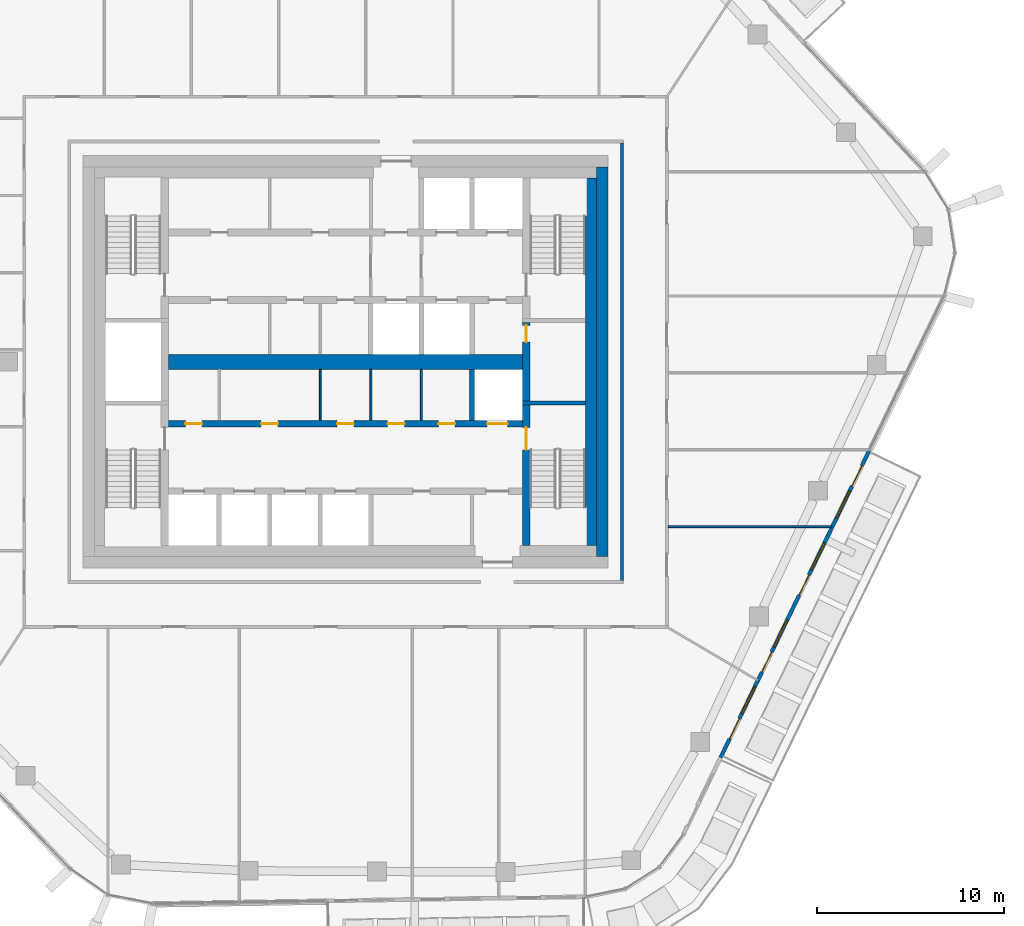
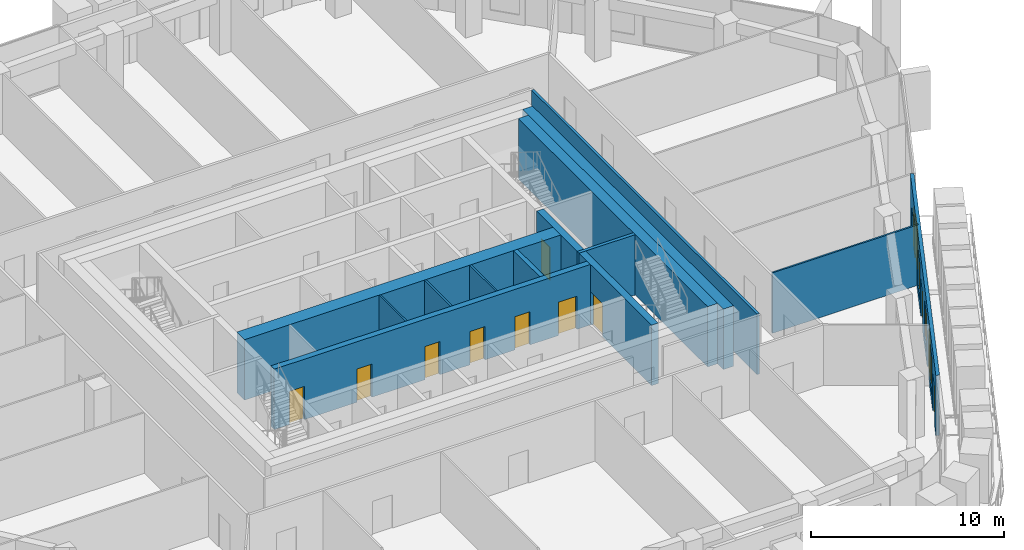
# One storey, part 14 of 24: 14 walls, 12 doors, 4 windows, 16 openings.
"""IFC4 building model written with IfcOpenShell, lengths in metres."""

from ifc_helpers import new_model, si_unit, direction, frame, frame_2d, origin, place, context, subcontext, project, spatial, rectangle, extrude, material, layer, layer_set, type_object, element, fill, save


model = new_model("IFC4")

# Units and contexts
model_context = context("Model", 3, precision=1e-05, world=origin(), true_north=direction((0.0, 1.0)))
body_context = subcontext(model_context, "Body", "Model", "MODEL_VIEW")
ifc_project = project(units=[si_unit("LENGTHUNIT", "METRE"), si_unit("AREAUNIT", "SQUARE_METRE"), si_unit("VOLUMEUNIT", "CUBIC_METRE"), si_unit("PLANEANGLEUNIT", "RADIAN"), si_unit("MASSUNIT", "GRAM", prefix="KILO")], contexts=[model_context])

# Site, building, storey
site_placement = place(None, origin())
site = spatial("IfcSite", under=ifc_project, at=site_placement, CompositionType="ELEMENT")
building_placement = place(site_placement, origin())
building = spatial("IfcBuilding", under=site, at=building_placement, Name="Dongbaek Canopy Tower", CompositionType="ELEMENT")
storey_placement = place(building_placement, frame((0.0, 0.0, 294.199951171875)))
storey = spatial("IfcBuildingStorey", under=building, at=storey_placement, Name="L62", CompositionType="ELEMENT", Elevation=294.199951171875)

# Wall
ifc_material_1 = material(Name="Concrete C60/75", Category="concrete")
ifc_layer_1 = layer(ifc_material_1, 0.800048828125)
ifc_layer_set_1 = layer_set([ifc_layer_1], Name="Core central wall 800 Concrete C60/75")
wall_type_1 = type_object("IfcWallType", Name="Core central wall 800 Concrete C60/75", PredefinedType="SHEAR", material=ifc_layer_set_1)
wall_1_placement = place(storey_placement, frame((-9.449951171875, 0.0, 0.0), z_axis=(0.0, 0.0, 1.0), x_axis=(1.0, 0.0, 0.0)))
element("IfcWall", 1, at=wall_1_placement, inside=storey, type_object=wall_type_1, Name="Core wall", PredefinedType="SHEAR", context=body_context, shape_type="SweptSolid", body=[
    extrude(rectangle(XDim=18.89990234375, YDim=0.800048828125, at=frame_2d((9.449951171875, 0.0))), origin(), (0.0, 0.0, 1.0), 3.820068359375),
])

# Wall, openings, doors
ifc_material_2 = material(Name="Concrete C60/75", Category="concrete")
ifc_layer_2 = layer(ifc_material_2, 0.35009765625)
ifc_layer_set_2 = layer_set([ifc_layer_2], Name="Core lobby wall 350 Concrete C60/75")
wall_type_2 = type_object("IfcWallType", Name="Core lobby wall 350 Concrete C60/75", PredefinedType="SHEAR", material=ifc_layer_set_2)
wall_2_placement = place(storey_placement, frame((-9.449951171875, -3.300048828125, 0.0), z_axis=(0.0, 0.0, 1.0), x_axis=(1.0, 0.0, 0.0)))
wall_2 = element("IfcWall", 2, at=wall_2_placement, inside=storey, type_object=wall_type_2, Name="Core wall", PredefinedType="SHEAR", context=body_context, shape_type="SweptSolid", body=[
    extrude(rectangle(XDim=18.89990234375, YDim=0.35009765625, at=frame_2d((9.449951171875, 0.0))), origin(), (0.0, 0.0, 1.0), 3.820068359375),
])
opening_1_placement = place(wall_2_placement, frame((17.0, 0.0, 0.0)))
opening_1 = element("IfcOpeningElement", 3, at=opening_1_placement, cuts=wall_2, Name="Opening L62-D034", PredefinedType="OPENING", context=body_context, shape_type="SweptSolid", body=[
    extrude(rectangle(XDim=1.10009765625, YDim=2.10009765625, at=frame_2d((0.550048828125, 1.050048828125))), frame((0.0, 0.18505859375, 0.0), z_axis=(0.0, -1.0, 0.0), x_axis=(1.0, 0.0, 0.0)), (0.0, 0.0, 1.0), 0.3701171875),
])
opening_2_placement = place(wall_2_placement, frame((0.89990234375, 0.0, 0.0)))
opening_2 = element("IfcOpeningElement", 4, at=opening_2_placement, cuts=wall_2, Name="Opening L62-D046", PredefinedType="OPENING", context=body_context, shape_type="SweptSolid", body=[
    extrude(rectangle(XDim=0.89990234375, YDim=2.10009765625, at=frame_2d((0.449951171875, 1.050048828125))), frame((0.0, 0.18505859375, 0.0), z_axis=(0.0, -1.0, 0.0), x_axis=(1.0, 0.0, 0.0)), (0.0, 0.0, 1.0), 0.3701171875),
])
opening_3_placement = place(wall_2_placement, frame((4.949951171875, 0.0, 0.0)))
opening_3 = element("IfcOpeningElement", 5, at=opening_3_placement, cuts=wall_2, Name="Opening L62-D047", PredefinedType="OPENING", context=body_context, shape_type="SweptSolid", body=[
    extrude(rectangle(XDim=0.89990234375, YDim=2.10009765625, at=frame_2d((0.449951171875, 1.050048828125))), frame((0.0, 0.18505859375, 0.0), z_axis=(0.0, -1.0, 0.0), x_axis=(1.0, 0.0, 0.0)), (0.0, 0.0, 1.0), 0.3701171875),
])
opening_4_placement = place(wall_2_placement, frame((9.0, 0.0, 0.0)))
opening_4 = element("IfcOpeningElement", 6, at=opening_4_placement, cuts=wall_2, Name="Opening L62-D048", PredefinedType="OPENING", context=body_context, shape_type="SweptSolid", body=[
    extrude(rectangle(XDim=0.89990234375, YDim=2.10009765625, at=frame_2d((0.449951171875, 1.050048828125))), frame((0.0, 0.18505859375, 0.0), z_axis=(0.0, -1.0, 0.0), x_axis=(1.0, 0.0, 0.0)), (0.0, 0.0, 1.0), 0.3701171875),
])
opening_5_placement = place(wall_2_placement, frame((11.699951171875, 0.0, 0.0)))
opening_5 = element("IfcOpeningElement", 7, at=opening_5_placement, cuts=wall_2, Name="Opening L62-D049", PredefinedType="OPENING", context=body_context, shape_type="SweptSolid", body=[
    extrude(rectangle(XDim=0.89990234375, YDim=2.10009765625, at=frame_2d((0.449951171875, 1.050048828125))), frame((0.0, 0.18505859375, 0.0), z_axis=(0.0, -1.0, 0.0), x_axis=(1.0, 0.0, 0.0)), (0.0, 0.0, 1.0), 0.3701171875),
])
opening_6_placement = place(wall_2_placement, frame((14.39990234375, 0.0, 0.0)))
opening_6 = element("IfcOpeningElement", 8, at=opening_6_placement, cuts=wall_2, Name="Opening L62-D050", PredefinedType="OPENING", context=body_context, shape_type="SweptSolid", body=[
    extrude(rectangle(XDim=0.89990234375, YDim=2.10009765625, at=frame_2d((0.449951171875, 1.050048828125))), frame((0.0, 0.18505859375, 0.0), z_axis=(0.0, -1.0, 0.0), x_axis=(1.0, 0.0, 0.0)), (0.0, 0.0, 1.0), 0.3701171875),
])
ifc_material_3 = material(Name="Steel", Category="steel")
door_type_1 = type_object("IfcDoorType", Name="Core room door 900 x 2100", OperationType="SINGLE_SWING_LEFT", PredefinedType="DOOR", material=ifc_material_3)
door_1_placement = place(opening_2_placement, origin())
door_1 = element("IfcDoor", 9, at=door_1_placement, inside=storey, type_object=door_type_1, Name="Door L62-D046", OperationType="SINGLE_SWING_LEFT", OverallHeight=2.10009765625, OverallWidth=0.89990234375, PredefinedType="DOOR", context=body_context, shape_type="SweptSolid", body=[
    extrude(rectangle(XDim=0.89990234375, YDim=2.10009765625, at=frame_2d((0.449951171875, 1.050048828125))), frame((0.0, 0.02490234375, 0.0), z_axis=(0.0, -1.0, 0.0), x_axis=(1.0, 0.0, 0.0)), (0.0, 0.0, 1.0), 0.050048828125),
])
fill(opening_2, door_1)
door_2_placement = place(opening_3_placement, origin())
door_2 = element("IfcDoor", 10, at=door_2_placement, inside=storey, type_object=door_type_1, Name="Door L62-D047", OperationType="SINGLE_SWING_RIGHT", OverallHeight=2.10009765625, OverallWidth=0.89990234375, PredefinedType="DOOR", context=body_context, shape_type="SweptSolid", body=[
    extrude(rectangle(XDim=0.89990234375, YDim=2.10009765625, at=frame_2d((0.449951171875, 1.050048828125))), frame((0.0, 0.02490234375, 0.0), z_axis=(0.0, -1.0, 0.0), x_axis=(1.0, 0.0, 0.0)), (0.0, 0.0, 1.0), 0.050048828125),
])
fill(opening_3, door_2)
door_3_placement = place(opening_4_placement, origin())
door_3 = element("IfcDoor", 11, at=door_3_placement, inside=storey, type_object=door_type_1, Name="Door L62-D048", OperationType="SINGLE_SWING_LEFT", OverallHeight=2.10009765625, OverallWidth=0.89990234375, PredefinedType="DOOR", context=body_context, shape_type="SweptSolid", body=[
    extrude(rectangle(XDim=0.89990234375, YDim=2.10009765625, at=frame_2d((0.449951171875, 1.050048828125))), frame((0.0, 0.02490234375, 0.0), z_axis=(0.0, -1.0, 0.0), x_axis=(1.0, 0.0, 0.0)), (0.0, 0.0, 1.0), 0.050048828125),
])
fill(opening_4, door_3)
door_4_placement = place(opening_5_placement, origin())
door_4 = element("IfcDoor", 12, at=door_4_placement, inside=storey, type_object=door_type_1, Name="Door L62-D049", OperationType="SINGLE_SWING_RIGHT", OverallHeight=2.10009765625, OverallWidth=0.89990234375, PredefinedType="DOOR", context=body_context, shape_type="SweptSolid", body=[
    extrude(rectangle(XDim=0.89990234375, YDim=2.10009765625, at=frame_2d((0.449951171875, 1.050048828125))), frame((0.0, 0.02490234375, 0.0), z_axis=(0.0, -1.0, 0.0), x_axis=(1.0, 0.0, 0.0)), (0.0, 0.0, 1.0), 0.050048828125),
])
fill(opening_5, door_4)
door_5_placement = place(opening_6_placement, origin())
door_5 = element("IfcDoor", 13, at=door_5_placement, inside=storey, type_object=door_type_1, Name="Door L62-D050", OperationType="SINGLE_SWING_LEFT", OverallHeight=2.10009765625, OverallWidth=0.89990234375, PredefinedType="DOOR", context=body_context, shape_type="SweptSolid", body=[
    extrude(rectangle(XDim=0.89990234375, YDim=2.10009765625, at=frame_2d((0.449951171875, 1.050048828125))), frame((0.0, 0.02490234375, 0.0), z_axis=(0.0, -1.0, 0.0), x_axis=(1.0, 0.0, 0.0)), (0.0, 0.0, 1.0), 0.050048828125),
])
fill(opening_6, door_5)
ifc_material_4 = material(Name="Stainless steel", Category="steel")
door_type_2 = type_object("IfcDoorType", Name="Lift landing door 1100 x 2100", OperationType="DOUBLE_DOOR_SLIDING", PredefinedType="DOOR", material=ifc_material_4)
door_6_placement = place(opening_1_placement, origin())
door_6 = element("IfcDoor", 14, at=door_6_placement, inside=storey, type_object=door_type_2, Name="Landing door SV2", OperationType="DOUBLE_DOOR_SLIDING", OverallHeight=2.10009765625, OverallWidth=1.10009765625, PredefinedType="DOOR", context=body_context, shape_type="SweptSolid", body=[
    extrude(rectangle(XDim=1.10009765625, YDim=2.10009765625, at=frame_2d((0.550048828125, 1.050048828125))), frame((0.0, 0.02490234375, 0.0), z_axis=(0.0, -1.0, 0.0), x_axis=(1.0, 0.0, 0.0)), (0.0, 0.0, 1.0), 0.050048828125),
])
fill(opening_1, door_6)

# Walls
ifc_material_5 = material(Name="Concrete C80/95", Category="concrete")
ifc_layer_3 = layer(ifc_material_5, 0.60009765625)
ifc_layer_set_3 = layer_set([ifc_layer_3], Name="Core outer wall 600 Concrete C80/95")
wall_type_3 = type_object("IfcWallType", Name="Core outer wall 600 Concrete C80/95", PredefinedType="SHEAR", material=ifc_layer_set_3)
wall_3_placement = place(storey_placement, frame((13.699951171875, 10.39990234375, 0.0), z_axis=(0.0, 0.0, 1.0), x_axis=(0.0, -1.0, 0.0)))
element("IfcWall", 15, at=wall_3_placement, inside=storey, type_object=wall_type_3, Name="Core wall", PredefinedType="SHEAR", context=body_context, shape_type="SweptSolid", body=[
    extrude(rectangle(XDim=20.7998046875, YDim=0.60009765625, at=frame_2d((10.39990234375, 0.0))), origin(), (0.0, 0.0, 1.0), 3.820068359375),
])
ifc_material_6 = material(Name="Concrete C60/75", Category="concrete")
ifc_layer_4 = layer(ifc_material_6, 0.60009765625)
ifc_layer_set_4 = layer_set([ifc_layer_4], Name="Core wall lining 600 Concrete C60/75")
wall_type_4 = type_object("IfcWallType", Name="Core wall lining 600 Concrete C60/75", PredefinedType="SHEAR", material=ifc_layer_set_4)
wall_4_placement = place(storey_placement, frame((13.10009765625, 9.800048828125, 0.0), z_axis=(0.0, 0.0, 1.0), x_axis=(0.0, -1.0, 0.0)))
element("IfcWall", 16, at=wall_4_placement, inside=storey, type_object=wall_type_4, Name="Core wall lining", PredefinedType="SHEAR", context=body_context, shape_type="SweptSolid", body=[
    extrude(rectangle(XDim=19.60009765625, YDim=0.60009765625, at=frame_2d((9.800048828125, 0.0))), origin(), (0.0, 0.0, 1.0), 3.820068359375),
])
ifc_material_7 = material(Name="Gypsum board partition, steel stud, 2 x 15 mm fire board", Category="steel")
ifc_layer_5 = layer(ifc_material_7, 0.14990234375)
ifc_layer_set_5 = layer_set([ifc_layer_5], Name="Fire-rated partition 150 gypsum board")
wall_type_5 = type_object("IfcWallType", Name="Fire-rated partition 150 gypsum board", PredefinedType="PARTITIONING", material=ifc_layer_set_5)
wall_5_placement = place(storey_placement, frame((14.75, -11.675048828125, 0.0), z_axis=(0.0, 0.0, 1.0), x_axis=(0.0, 1.0, 0.0)))
element("IfcWall", 17, at=wall_5_placement, inside=storey, type_object=wall_type_5, Name="Corridor partition", PredefinedType="PARTITIONING", context=body_context, shape_type="SweptSolid", body=[
    extrude(rectangle(XDim=23.35009765625, YDim=0.14990234375, at=frame_2d((11.675048828125, 0.0))), origin(), (0.0, 0.0, 1.0), 3.820068359375),
])
ifc_material_8 = material(Name="Concrete C40/50", Category="concrete")
ifc_layer_6 = layer(ifc_material_8, 0.25)
ifc_layer_set_6 = layer_set([ifc_layer_6], Name="Lift shaft wall 250 Concrete C40/50")
wall_type_6 = type_object("IfcWallType", Name="Lift shaft wall 250 Concrete C40/50", PredefinedType="SOLIDWALL", material=ifc_layer_set_6)
wall_6_placement = place(storey_placement, frame((6.75, -3.125, 0.0), z_axis=(0.0, 0.0, 1.0), x_axis=(0.0, 1.0, 0.0)))
element("IfcWall", 18, at=wall_6_placement, inside=storey, type_object=wall_type_6, Name="Lift shaft wall", PredefinedType="SOLIDWALL", context=body_context, shape_type="SweptSolid", body=[
    extrude(rectangle(XDim=2.72509765625, YDim=0.25, at=frame_2d((1.362548828125, 0.0))), origin(), (0.0, 0.0, 1.0), 3.820068359375),
])
ifc_material_9 = material(Name="Gypsum board partition, steel stud, 2 x 12.5 mm board", Category="steel")
ifc_layer_7 = layer(ifc_material_9, 0.10009765625)
ifc_layer_set_7 = layer_set([ifc_layer_7], Name="Partition 100 gypsum board")
wall_type_7 = type_object("IfcWallType", Name="Partition 100 gypsum board", PredefinedType="PARTITIONING", material=ifc_layer_set_7)
wall_7_placement = place(storey_placement, frame((17.22509765625, -8.798095703125, 0.0), z_axis=(0.0, 0.0, 1.0), x_axis=(1.0, 0.0, 0.0)))
element("IfcWall", 19, at=wall_7_placement, inside=storey, type_object=wall_type_7, Name="Partition", PredefinedType="PARTITIONING", context=body_context, shape_type="SweptSolid", body=[
    extrude(rectangle(XDim=8.735107421875, YDim=0.10009765625, at=frame_2d((4.36767578125, 0.0))), origin(), (0.0, 0.0, 1.0), 3.820068359375),
])
for number, where, z_axis, x_axis, name in (
    (20, (4.050048828125, -3.125, 0.0), (0.0, 0.0, 1.0), (0.0, 1.0, 0.0), "Core partition"),
    (21, (1.35009765625, -3.125, 0.0), (0.0, 0.0, 1.0), (0.0, 1.0, 0.0), "Core partition"),
    (22, (-1.35009765625, -3.125, 0.0), (0.0, 0.0, 1.0), (0.0, 1.0, 0.0), "Core partition"),
):
    element("IfcWall", number, at=place(storey_placement, frame(where, z_axis=z_axis, x_axis=x_axis)), inside=storey, type_object=wall_type_7, Name=name, PredefinedType="PARTITIONING", context=body_context, shape_type="SweptSolid", body=[
        extrude(rectangle(XDim=2.72509765625, YDim=0.10009765625, at=frame_2d((1.362548828125, 0.0))), origin(), (0.0, 0.0, 1.0), 3.820068359375),
    ])
ifc_material_10 = material(Name="Concrete C60/75", Category="concrete")
ifc_layer_8 = layer(ifc_material_10, 0.199951171875)
ifc_layer_set_8 = layer_set([ifc_layer_8], Name="Riser wall 200 Concrete C60/75")
wall_type_8 = type_object("IfcWallType", Name="Riser wall 200 Concrete C60/75", PredefinedType="SHEAR", material=ifc_layer_set_8)
wall_8_placement = place(storey_placement, frame((9.449951171875, -2.199951171875, 0.0), z_axis=(0.0, 0.0, 1.0), x_axis=(1.0, 0.0, 0.0)))
element("IfcWall", 23, at=wall_8_placement, inside=storey, type_object=wall_type_8, Name="Riser wall", PredefinedType="SHEAR", context=body_context, shape_type="SweptSolid", body=[
    extrude(rectangle(XDim=3.35009765625, YDim=0.199951171875, at=frame_2d((1.675048828125, 0.0))), origin(), (0.0, 0.0, 1.0), 3.820068359375),
])

# Wall, opening, door
ifc_material_11 = material(Name="Concrete C60/75", Category="concrete")
ifc_layer_9 = layer(ifc_material_11, 0.39990234375)
ifc_layer_set_9 = layer_set([ifc_layer_9], Name="Stair wall 400 Concrete C60/75")
wall_type_9 = type_object("IfcWallType", Name="Stair wall 400 Concrete C60/75", PredefinedType="SHEAR", material=ifc_layer_set_9)
wall_9_placement = place(storey_placement, frame((9.64990234375, -2.300048828125, 0.0), z_axis=(0.0, 0.0, 1.0), x_axis=(0.0, -1.0, 0.0)))
wall_9 = element("IfcWall", 24, at=wall_9_placement, inside=storey, type_object=wall_type_9, Name="Stair wall", PredefinedType="SHEAR", context=body_context, shape_type="SweptSolid", body=[
    extrude(rectangle(XDim=7.5, YDim=0.39990234375, at=frame_2d((3.75, 0.0))), origin(), (0.0, 0.0, 1.0), 3.820068359375),
])
opening_7_placement = place(wall_9_placement, frame((1.199951171875, 0.0, 0.0)))
opening_7 = element("IfcOpeningElement", 25, at=opening_7_placement, cuts=wall_9, Name="Opening L62-D054", PredefinedType="OPENING", context=body_context, shape_type="SweptSolid", body=[
    extrude(rectangle(XDim=1.199951171875, YDim=2.10009765625, at=frame_2d((0.60009765625, 1.050048828125))), frame((0.0, 0.2099609375, 0.0), z_axis=(0.0, -1.0, 0.0), x_axis=(1.0, 0.0, 0.0)), (0.0, 0.0, 1.0), 0.419921875),
])
ifc_material_12 = material(Name="Steel", Category="steel")
door_type_3 = type_object("IfcDoorType", Name="Stair door 1200 x 2100", OperationType="SINGLE_SWING_LEFT", PredefinedType="DOOR", material=ifc_material_12)
door_7_placement = place(opening_7_placement, origin())
door_7 = element("IfcDoor", 26, at=door_7_placement, inside=storey, type_object=door_type_3, Name="Stair B door", OperationType="SINGLE_SWING_RIGHT", OverallHeight=2.10009765625, OverallWidth=1.199951171875, PredefinedType="DOOR", context=body_context, shape_type="SweptSolid", body=[
    extrude(rectangle(XDim=1.199951171875, YDim=2.10009765625, at=frame_2d((0.60009765625, 1.050048828125))), frame((0.0, 0.02490234375, 0.0), z_axis=(0.0, -1.0, 0.0), x_axis=(1.0, 0.0, 0.0)), (0.0, 0.0, 1.0), 0.050048828125),
])
fill(opening_7, door_7)

wall_10_placement = place(storey_placement, frame((9.64990234375, 2.10009765625, 0.0), z_axis=(0.0, 0.0, 1.0), x_axis=(0.0, -1.0, 0.0)))
wall_10 = element("IfcWall", 27, at=wall_10_placement, inside=storey, type_object=wall_type_9, Name="Stair wall", PredefinedType="SHEAR", context=body_context, shape_type="SweptSolid", body=[
    extrude(rectangle(XDim=4.2001953125, YDim=0.39990234375, at=frame_2d((2.10009765625, 0.0))), origin(), (0.0, 0.0, 1.0), 3.820068359375),
])
opening_8_placement = place(wall_10_placement, frame((0.14990234375, 0.0, 0.0)))
opening_8 = element("IfcOpeningElement", 28, at=opening_8_placement, cuts=wall_10, Name="Opening L62-D026", PredefinedType="OPENING", context=body_context, shape_type="SweptSolid", body=[
    extrude(rectangle(XDim=0.89990234375, YDim=2.10009765625, at=frame_2d((0.449951171875, 1.050048828125))), frame((0.0, 0.2099609375, 0.0), z_axis=(0.0, -1.0, 0.0), x_axis=(1.0, 0.0, 0.0)), (0.0, 0.0, 1.0), 0.419921875),
])
door_8_placement = place(opening_8_placement, origin())
door_8 = element("IfcDoor", 29, at=door_8_placement, inside=storey, type_object=door_type_1, Name="Door L62-D026", OperationType="SINGLE_SWING_RIGHT", OverallHeight=2.10009765625, OverallWidth=0.89990234375, PredefinedType="DOOR", context=body_context, shape_type="SweptSolid", body=[
    extrude(rectangle(XDim=0.89990234375, YDim=2.10009765625, at=frame_2d((0.449951171875, 1.050048828125))), frame((0.0, 0.02490234375, 0.0), z_axis=(0.0, -1.0, 0.0), x_axis=(1.0, 0.0, 0.0)), (0.0, 0.0, 1.0), 0.050048828125),
])
fill(opening_8, door_8)

# Wall, openings, doors, windows
ifc_material_13 = material(Name="Aluminium window wall", Category="aluminium")
ifc_layer_10 = layer(ifc_material_13, 0.199951171875)
ifc_layer_set_10 = layer_set([ifc_layer_10], Name="Window wall 200")
wall_type_10 = type_object("IfcWallType", Name="Window wall 200", PredefinedType="SOLIDWALL", material=ifc_layer_set_10)
wall_11_placement = place(storey_placement, frame((20.016845703125, -21.115966796875, 0.0), z_axis=(0.0, 0.0, 1.0), x_axis=(0.435859541182, 0.90001470008, 0.0)))
wall_11 = element("IfcWall", 30, at=wall_11_placement, inside=storey, type_object=wall_type_10, Name="Window wall L62 5", PredefinedType="SOLIDWALL", context=body_context, shape_type="SweptSolid", body=[
    extrude(rectangle(XDim=18.248779296875, YDim=0.199951171875, at=frame_2d((9.12451171875, 0.0))), origin(), (0.0, 0.0, 1.0), 3.820068359375),
])
opening_9_placement = place(wall_11_placement, frame((2.60009765625, 0.0, 0.60009765625)))
opening_9 = element("IfcOpeningElement", 31, at=opening_9_placement, cuts=wall_11, Name="Opening W1", PredefinedType="OPENING", context=body_context, shape_type="SweptSolid", body=[
    extrude(rectangle(XDim=1.60009765625, YDim=2.39990234375, at=frame_2d((0.800048828125, 1.199951171875))), frame((0.0, 0.10986328125, 0.0), z_axis=(0.0, -1.0, 0.0), x_axis=(1.0, 0.0, 0.0)), (0.0, 0.0, 1.0), 0.219970703125),
])
opening_10_placement = place(wall_11_placement, frame((1.10009765625, 0.0, 0.0)))
opening_10 = element("IfcOpeningElement", 32, at=opening_10_placement, cuts=wall_11, Name="Opening L62-B13", PredefinedType="OPENING", context=body_context, shape_type="SweptSolid", body=[
    extrude(rectangle(XDim=1.199951171875, YDim=2.39990234375, at=frame_2d((0.60009765625, 1.199951171875))), frame((0.0, 0.10986328125, 0.0), z_axis=(0.0, -1.0, 0.0), x_axis=(1.0, 0.0, 0.0)), (0.0, 0.0, 1.0), 0.219970703125),
])
opening_11_placement = place(wall_11_placement, frame((6.562255859375, 0.0, 0.60009765625)))
opening_11 = element("IfcOpeningElement", 33, at=opening_11_placement, cuts=wall_11, Name="Opening W1", PredefinedType="OPENING", context=body_context, shape_type="SweptSolid", body=[
    extrude(rectangle(XDim=1.60009765625, YDim=2.39990234375, at=frame_2d((0.800048828125, 1.199951171875))), frame((0.0, 0.10986328125, 0.0), z_axis=(0.0, -1.0, 0.0), x_axis=(1.0, 0.0, 0.0)), (0.0, 0.0, 1.0), 0.219970703125),
])
opening_12_placement = place(wall_11_placement, frame((5.062255859375, 0.0, 0.0)))
opening_12 = element("IfcOpeningElement", 34, at=opening_12_placement, cuts=wall_11, Name="Opening L62-B14", PredefinedType="OPENING", context=body_context, shape_type="SweptSolid", body=[
    extrude(rectangle(XDim=1.199951171875, YDim=2.39990234375, at=frame_2d((0.60009765625, 1.199951171875))), frame((0.0, 0.10986328125, 0.0), z_axis=(0.0, -1.0, 0.0), x_axis=(1.0, 0.0, 0.0)), (0.0, 0.0, 1.0), 0.219970703125),
])
opening_13_placement = place(wall_11_placement, frame((11.12451171875, 0.0, 0.60009765625)))
opening_13 = element("IfcOpeningElement", 35, at=opening_13_placement, cuts=wall_11, Name="Opening W1", PredefinedType="OPENING", context=body_context, shape_type="SweptSolid", body=[
    extrude(rectangle(XDim=1.60009765625, YDim=2.39990234375, at=frame_2d((0.800048828125, 1.199951171875))), frame((0.0, 0.10986328125, 0.0), z_axis=(0.0, -1.0, 0.0), x_axis=(1.0, 0.0, 0.0)), (0.0, 0.0, 1.0), 0.219970703125),
])
opening_14_placement = place(wall_11_placement, frame((9.62451171875, 0.0, 0.0)))
opening_14 = element("IfcOpeningElement", 36, at=opening_14_placement, cuts=wall_11, Name="Opening L62-B15", PredefinedType="OPENING", context=body_context, shape_type="SweptSolid", body=[
    extrude(rectangle(XDim=1.199951171875, YDim=2.39990234375, at=frame_2d((0.60009765625, 1.199951171875))), frame((0.0, 0.10986328125, 0.0), z_axis=(0.0, -1.0, 0.0), x_axis=(1.0, 0.0, 0.0)), (0.0, 0.0, 1.0), 0.219970703125),
])
opening_15_placement = place(wall_11_placement, frame((14.1865234375, 0.0, 0.60009765625)))
opening_15 = element("IfcOpeningElement", 37, at=opening_15_placement, cuts=wall_11, Name="Opening W1", PredefinedType="OPENING", context=body_context, shape_type="SweptSolid", body=[
    extrude(rectangle(XDim=1.60009765625, YDim=2.39990234375, at=frame_2d((0.800048828125, 1.199951171875))), frame((0.0, 0.10986328125, 0.0), z_axis=(0.0, -1.0, 0.0), x_axis=(1.0, 0.0, 0.0)), (0.0, 0.0, 1.0), 0.219970703125),
])
opening_16_placement = place(wall_11_placement, frame((16.086669921875, 0.0, 0.0)))
opening_16 = element("IfcOpeningElement", 38, at=opening_16_placement, cuts=wall_11, Name="Opening L62-B16", PredefinedType="OPENING", context=body_context, shape_type="SweptSolid", body=[
    extrude(rectangle(XDim=1.199951171875, YDim=2.39990234375, at=frame_2d((0.60009765625, 1.199951171875))), frame((0.0, 0.10986328125, 0.0), z_axis=(0.0, -1.0, 0.0), x_axis=(1.0, 0.0, 0.0)), (0.0, 0.0, 1.0), 0.219970703125),
])
ifc_material_14 = material(Name="Clear glazing in aluminium frame", Category="aluminium")
door_type_4 = type_object("IfcDoorType", Name="Balcony door BD1 1200 x 2400", OperationType="SLIDING_TO_LEFT", PredefinedType="DOOR", material=ifc_material_14)
door_9_placement = place(opening_10_placement, origin())
door_9 = element("IfcDoor", 39, at=door_9_placement, inside=storey, type_object=door_type_4, Name="Balcony door L62-B13", OperationType="SLIDING_TO_LEFT", OverallHeight=2.39990234375, OverallWidth=1.199951171875, PredefinedType="DOOR", context=body_context, shape_type="SweptSolid", body=[
    extrude(rectangle(XDim=1.199951171875, YDim=2.39990234375, at=frame_2d((0.60009765625, 1.199951171875))), frame((0.0, 0.02490234375, 0.0), z_axis=(0.0, -1.0, 0.0), x_axis=(1.0, 0.0, 0.0)), (0.0, 0.0, 1.0), 0.050048828125),
])
fill(opening_10, door_9)
door_10_placement = place(opening_12_placement, origin())
door_10 = element("IfcDoor", 40, at=door_10_placement, inside=storey, type_object=door_type_4, Name="Balcony door L62-B14", OperationType="SLIDING_TO_LEFT", OverallHeight=2.39990234375, OverallWidth=1.199951171875, PredefinedType="DOOR", context=body_context, shape_type="SweptSolid", body=[
    extrude(rectangle(XDim=1.199951171875, YDim=2.39990234375, at=frame_2d((0.60009765625, 1.199951171875))), frame((0.0, 0.02490234375, 0.0), z_axis=(0.0, -1.0, 0.0), x_axis=(1.0, 0.0, 0.0)), (0.0, 0.0, 1.0), 0.050048828125),
])
fill(opening_12, door_10)
door_11_placement = place(opening_14_placement, origin())
door_11 = element("IfcDoor", 41, at=door_11_placement, inside=storey, type_object=door_type_4, Name="Balcony door L62-B15", OperationType="SLIDING_TO_LEFT", OverallHeight=2.39990234375, OverallWidth=1.199951171875, PredefinedType="DOOR", context=body_context, shape_type="SweptSolid", body=[
    extrude(rectangle(XDim=1.199951171875, YDim=2.39990234375, at=frame_2d((0.60009765625, 1.199951171875))), frame((0.0, 0.02490234375, 0.0), z_axis=(0.0, -1.0, 0.0), x_axis=(1.0, 0.0, 0.0)), (0.0, 0.0, 1.0), 0.050048828125),
])
fill(opening_14, door_11)
door_12_placement = place(opening_16_placement, origin())
door_12 = element("IfcDoor", 42, at=door_12_placement, inside=storey, type_object=door_type_4, Name="Balcony door L62-B16", OperationType="SLIDING_TO_LEFT", OverallHeight=2.39990234375, OverallWidth=1.199951171875, PredefinedType="DOOR", context=body_context, shape_type="SweptSolid", body=[
    extrude(rectangle(XDim=1.199951171875, YDim=2.39990234375, at=frame_2d((0.60009765625, 1.199951171875))), frame((0.0, 0.02490234375, 0.0), z_axis=(0.0, -1.0, 0.0), x_axis=(1.0, 0.0, 0.0)), (0.0, 0.0, 1.0), 0.050048828125),
])
fill(opening_16, door_12)
ifc_material_15 = material(Name="Clear glazing in aluminium frame", Category="aluminium")
window_type = type_object("IfcWindowType", Name="Window W1 1600 x 2400", PartitioningType="SINGLE_PANEL", PredefinedType="WINDOW", material=ifc_material_15)
window_1_placement = place(opening_9_placement, origin())
window_1 = element("IfcWindow", 43, at=window_1_placement, inside=storey, type_object=window_type, Name="Window L62 5.1", OverallHeight=2.39990234375, OverallWidth=1.60009765625, PartitioningType="SINGLE_PANEL", PredefinedType="WINDOW", context=body_context, shape_type="SweptSolid", body=[
    extrude(rectangle(XDim=1.60009765625, YDim=2.39990234375, at=frame_2d((0.800048828125, 1.199951171875))), frame((0.0, 0.030029296875, 0.0), z_axis=(0.0, -1.0, 0.0), x_axis=(1.0, 0.0, 0.0)), (0.0, 0.0, 1.0), 0.06005859375),
])
fill(opening_9, window_1)
window_2_placement = place(opening_11_placement, origin())
window_2 = element("IfcWindow", 44, at=window_2_placement, inside=storey, type_object=window_type, Name="Window L62 5.2", OverallHeight=2.39990234375, OverallWidth=1.60009765625, PartitioningType="SINGLE_PANEL", PredefinedType="WINDOW", context=body_context, shape_type="SweptSolid", body=[
    extrude(rectangle(XDim=1.60009765625, YDim=2.39990234375, at=frame_2d((0.800048828125, 1.199951171875))), frame((0.0, 0.030029296875, 0.0), z_axis=(0.0, -1.0, 0.0), x_axis=(1.0, 0.0, 0.0)), (0.0, 0.0, 1.0), 0.06005859375),
])
fill(opening_11, window_2)
window_3_placement = place(opening_13_placement, origin())
window_3 = element("IfcWindow", 45, at=window_3_placement, inside=storey, type_object=window_type, Name="Window L62 5.3", OverallHeight=2.39990234375, OverallWidth=1.60009765625, PartitioningType="SINGLE_PANEL", PredefinedType="WINDOW", context=body_context, shape_type="SweptSolid", body=[
    extrude(rectangle(XDim=1.60009765625, YDim=2.39990234375, at=frame_2d((0.800048828125, 1.199951171875))), frame((0.0, 0.030029296875, 0.0), z_axis=(0.0, -1.0, 0.0), x_axis=(1.0, 0.0, 0.0)), (0.0, 0.0, 1.0), 0.06005859375),
])
fill(opening_13, window_3)
window_4_placement = place(opening_15_placement, origin())
window_4 = element("IfcWindow", 46, at=window_4_placement, inside=storey, type_object=window_type, Name="Window L62 5.4", OverallHeight=2.39990234375, OverallWidth=1.60009765625, PartitioningType="SINGLE_PANEL", PredefinedType="WINDOW", context=body_context, shape_type="SweptSolid", body=[
    extrude(rectangle(XDim=1.60009765625, YDim=2.39990234375, at=frame_2d((0.800048828125, 1.199951171875))), frame((0.0, 0.030029296875, 0.0), z_axis=(0.0, -1.0, 0.0), x_axis=(1.0, 0.0, 0.0)), (0.0, 0.0, 1.0), 0.06005859375),
])
fill(opening_15, window_4)

save(model, "model.ifc")
